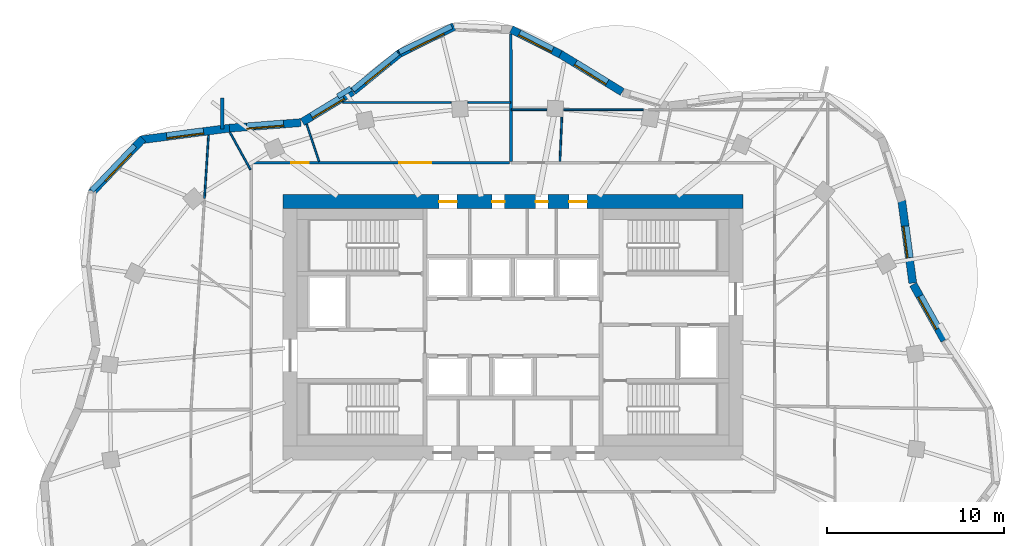
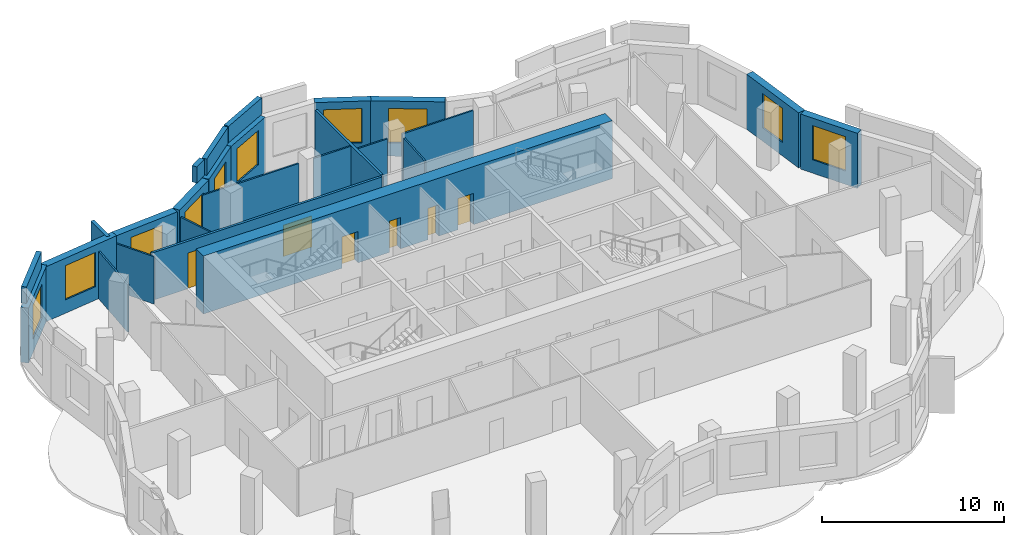
# One storey, part 7 of 10: 26 walls, 10 windows, 6 doors, 16 openings.
"""IFC4 building model written with IfcOpenShell, lengths in metres."""

from ifc_helpers import new_model, si_unit, direction, frame, frame_2d, origin, place, context, subcontext, project, spatial, rectangle, extrude, material, layer, layer_set, type_object, element, fill, save


model = new_model("IFC4")

# Units and contexts
model_context = context("Model", 3, precision=1e-05, world=origin(), true_north=direction((0.0, 1.0)))
body_context = subcontext(model_context, "Body", "Model", "MODEL_VIEW")
ifc_project = project(units=[si_unit("LENGTHUNIT", "METRE"), si_unit("AREAUNIT", "SQUARE_METRE"), si_unit("VOLUMEUNIT", "CUBIC_METRE"), si_unit("PLANEANGLEUNIT", "RADIAN"), si_unit("MASSUNIT", "GRAM", prefix="KILO")], contexts=[model_context])

# Site, building, storey
site_placement = place(None, origin())
site = spatial("IfcSite", under=ifc_project, at=site_placement, CompositionType="ELEMENT")
building_placement = place(site_placement, origin())
building = spatial("IfcBuilding", under=site, at=building_placement, Name="Rubra Terraces Tower", CompositionType="ELEMENT")
storey_placement = place(building_placement, frame((0.0, 0.0, 296.10009765625)))
storey = spatial("IfcBuildingStorey", under=building, at=storey_placement, Name="L73", CompositionType="ELEMENT", Elevation=296.10009765625)

# Wall, opening, window
ifc_material_1 = material(Name="Brick masonry red-brown", Category="masonry")
ifc_layer_1 = layer(ifc_material_1, 0.449951171875)
ifc_layer_set_1 = layer_set([ifc_layer_1], Name="Brick masonry red-brown")
wall_type_1 = type_object("IfcWallType", Name="Brick facade wall 450", PredefinedType="SOLIDWALL", material=ifc_layer_set_1)
wall_1_placement = place(storey_placement, frame((24.392822265625, 3.759033203125, 0.0), z_axis=(0.0, 0.0, 1.0), x_axis=(-0.488324253004, 0.872662262234, 0.0)))
wall_1 = element("IfcWall", 1, at=wall_1_placement, inside=storey, type_object=wall_type_1, Name="Facade wall L73 bay 2", PredefinedType="SOLIDWALL", context=body_context, shape_type="SweptSolid", body=[
    extrude(rectangle(XDim=3.622802734375, YDim=0.449951171875, at=frame_2d((1.8115234375, 0.0))), origin(), (0.0, 0.0, 1.0), 3.699951171875),
])
opening_1_placement = place(wall_1_placement, frame((0.76123046875, 0.0, 0.89990234375)))
opening_1 = element("IfcOpeningElement", 2, at=opening_1_placement, cuts=wall_1, Name="Opening W1B", PredefinedType="OPENING", context=body_context, shape_type="SweptSolid", body=[
    extrude(rectangle(XDim=2.10009765625, YDim=2.300048828125, at=frame_2d((1.050048828125, 1.14990234375))), frame((0.0, 0.23486328125, 0.0), z_axis=(0.0, -1.0, 0.0), x_axis=(1.0, 0.0, 0.0)), (0.0, 0.0, 1.0), 0.469970703125),
])
ifc_material_2 = material(Name="Clear glass in aluminium frame", Category="aluminium")
window_type_1 = type_object("IfcWindowType", Name="Fixed deep-set window tall storey 2100 x 2300", PartitioningType="SINGLE_PANEL", PredefinedType="WINDOW", material=ifc_material_2)
window_1_placement = place(opening_1_placement, origin())
window_1 = element("IfcWindow", 3, at=window_1_placement, inside=storey, type_object=window_type_1, Name="Window L73 bay 2", OverallHeight=2.300048828125, OverallWidth=2.10009765625, PartitioningType="SINGLE_PANEL", PredefinedType="WINDOW", context=body_context, shape_type="SweptSolid", body=[
    extrude(rectangle(XDim=2.10009765625, YDim=2.300048828125, at=frame_2d((1.050048828125, 1.14990234375))), frame((0.0, 0.135009765625, 0.0), z_axis=(0.0, -1.0, 0.0), x_axis=(1.0, 0.0, 0.0)), (0.0, 0.0, 1.0), 0.06005859375),
])
fill(opening_1, window_1)

wall_2_placement = place(storey_placement, frame((22.599853515625, 6.995361328125, 0.0), z_axis=(0.0, 0.0, 1.0), x_axis=(-0.132599346032, 0.991169719792, 0.0)))
wall_2 = element("IfcWall", 4, at=wall_2_placement, inside=storey, type_object=wall_type_1, Name="Facade wall L73 bay 3", PredefinedType="SOLIDWALL", context=body_context, shape_type="SweptSolid", body=[
    extrude(rectangle(XDim=4.69873046875, YDim=0.449951171875, at=frame_2d((2.349365234375, 0.0))), origin(), (0.0, 0.0, 1.0), 3.699951171875),
])
opening_2_placement = place(wall_2_placement, frame((1.449462890625, 0.0, 0.89990234375)))
opening_2 = element("IfcOpeningElement", 5, at=opening_2_placement, cuts=wall_2, Name="Opening W6B", PredefinedType="OPENING", context=body_context, shape_type="SweptSolid", body=[
    extrude(rectangle(XDim=1.800048828125, YDim=2.300048828125, at=frame_2d((0.89990234375, 1.14990234375))), frame((0.0, 0.23486328125, 0.0), z_axis=(0.0, -1.0, 0.0), x_axis=(1.0, 0.0, 0.0)), (0.0, 0.0, 1.0), 0.469970703125),
])
window_type_2 = type_object("IfcWindowType", Name="Fixed deep-set window at wind fin tall storey 1800 x 2300", PartitioningType="SINGLE_PANEL", PredefinedType="WINDOW", material=ifc_material_2)
window_2_placement = place(opening_2_placement, origin())
window_2 = element("IfcWindow", 6, at=window_2_placement, inside=storey, type_object=window_type_2, Name="Window L73 bay 3", OverallHeight=2.300048828125, OverallWidth=1.800048828125, PartitioningType="SINGLE_PANEL", PredefinedType="WINDOW", context=body_context, shape_type="SweptSolid", body=[
    extrude(rectangle(XDim=1.800048828125, YDim=2.300048828125, at=frame_2d((0.89990234375, 1.14990234375))), frame((0.0, 0.135009765625, 0.0), z_axis=(0.0, -1.0, 0.0), x_axis=(1.0, 0.0, 0.0)), (0.0, 0.0, 1.0), 0.06005859375),
])
fill(opening_2, window_2)

wall_3_placement = place(storey_placement, frame((6.17724609375, 17.797607421875, 0.0), z_axis=(0.0, 0.0, 1.0), x_axis=(-0.852939764965, 0.52200934603, 0.0)))
wall_3 = element("IfcWall", 7, at=wall_3_placement, inside=storey, type_object=wall_type_1, Name="Facade wall L73 bay 9", PredefinedType="SOLIDWALL", context=body_context, shape_type="SweptSolid", body=[
    extrude(rectangle(XDim=4.11279296875, YDim=0.449951171875, at=frame_2d((2.056396484375, 0.0))), origin(), (0.0, 0.0, 1.0), 3.699951171875),
])
opening_3_placement = place(wall_3_placement, frame((1.00634765625, 0.0, 0.89990234375)))
opening_3 = element("IfcOpeningElement", 8, at=opening_3_placement, cuts=wall_3, Name="Opening W1B", PredefinedType="OPENING", context=body_context, shape_type="SweptSolid", body=[
    extrude(rectangle(XDim=2.10009765625, YDim=2.300048828125, at=frame_2d((1.050048828125, 1.14990234375))), frame((0.0, 0.23486328125, 0.0), z_axis=(0.0, -1.0, 0.0), x_axis=(1.0, 0.0, 0.0)), (0.0, 0.0, 1.0), 0.469970703125),
])
window_3_placement = place(opening_3_placement, origin())
window_3 = element("IfcWindow", 9, at=window_3_placement, inside=storey, type_object=window_type_1, Name="Window L73 bay 9", OverallHeight=2.300048828125, OverallWidth=2.10009765625, PartitioningType="SINGLE_PANEL", PredefinedType="WINDOW", context=body_context, shape_type="SweptSolid", body=[
    extrude(rectangle(XDim=2.10009765625, YDim=2.300048828125, at=frame_2d((1.050048828125, 1.14990234375))), frame((0.0, 0.135009765625, 0.0), z_axis=(0.0, -1.0, 0.0), x_axis=(1.0, 0.0, 0.0)), (0.0, 0.0, 1.0), 0.06005859375),
])
fill(opening_3, window_3)

wall_4_placement = place(storey_placement, frame((2.685791015625, 19.935546875, 0.0), z_axis=(0.0, 0.0, 1.0), x_axis=(-0.893533051512, 0.448997422994, 0.0)))
wall_4 = element("IfcWall", 10, at=wall_4_placement, inside=storey, type_object=wall_type_1, Name="Facade wall L73 bay 10", PredefinedType="SOLIDWALL", context=body_context, shape_type="SweptSolid", body=[
    extrude(rectangle(XDim=3.118896484375, YDim=0.449951171875, at=frame_2d((1.5595703125, 0.0))), origin(), (0.0, 0.0, 1.0), 3.699951171875),
])
opening_4_placement = place(wall_4_placement, frame((0.509521484375, 0.0, 0.89990234375)))
opening_4 = element("IfcOpeningElement", 11, at=opening_4_placement, cuts=wall_4, Name="Opening W1B", PredefinedType="OPENING", context=body_context, shape_type="SweptSolid", body=[
    extrude(rectangle(XDim=2.10009765625, YDim=2.300048828125, at=frame_2d((1.050048828125, 1.14990234375))), frame((0.0, 0.23486328125, 0.0), z_axis=(0.0, -1.0, 0.0), x_axis=(1.0, 0.0, 0.0)), (0.0, 0.0, 1.0), 0.469970703125),
])
window_4_placement = place(opening_4_placement, origin())
window_4 = element("IfcWindow", 12, at=window_4_placement, inside=storey, type_object=window_type_1, Name="Window L73 bay 10", OverallHeight=2.300048828125, OverallWidth=2.10009765625, PartitioningType="SINGLE_PANEL", PredefinedType="WINDOW", context=body_context, shape_type="SweptSolid", body=[
    extrude(rectangle(XDim=2.10009765625, YDim=2.300048828125, at=frame_2d((1.050048828125, 1.14990234375))), frame((0.0, 0.135009765625, 0.0), z_axis=(0.0, -1.0, 0.0), x_axis=(1.0, 0.0, 0.0)), (0.0, 0.0, 1.0), 0.06005859375),
])
fill(opening_4, window_4)

wall_5_placement = place(storey_placement, frame((-3.33740234375, 21.496337890625, 0.0), z_axis=(0.0, 0.0, 1.0), x_axis=(-0.896526715328, -0.442989671103, 0.0)))
wall_5 = element("IfcWall", 13, at=wall_5_placement, inside=storey, type_object=wall_type_1, Name="Facade wall L73 bay 12", PredefinedType="SOLIDWALL", context=body_context, shape_type="SweptSolid", body=[
    extrude(rectangle(XDim=3.47216796875, YDim=0.449951171875, at=frame_2d((1.736083984375, 0.0))), origin(), (0.0, 0.0, 1.0), 3.699951171875),
])
opening_5_placement = place(wall_5_placement, frame((0.68603515625, 0.0, 0.89990234375)))
opening_5 = element("IfcOpeningElement", 14, at=opening_5_placement, cuts=wall_5, Name="Opening W1B", PredefinedType="OPENING", context=body_context, shape_type="SweptSolid", body=[
    extrude(rectangle(XDim=2.10009765625, YDim=2.300048828125, at=frame_2d((1.050048828125, 1.14990234375))), frame((0.0, 0.23486328125, 0.0), z_axis=(0.0, -1.0, 0.0), x_axis=(1.0, 0.0, 0.0)), (0.0, 0.0, 1.0), 0.469970703125),
])
window_5_placement = place(opening_5_placement, origin())
window_5 = element("IfcWindow", 15, at=window_5_placement, inside=storey, type_object=window_type_1, Name="Window L73 bay 12", OverallHeight=2.300048828125, OverallWidth=2.10009765625, PartitioningType="SINGLE_PANEL", PredefinedType="WINDOW", context=body_context, shape_type="SweptSolid", body=[
    extrude(rectangle(XDim=2.10009765625, YDim=2.300048828125, at=frame_2d((1.050048828125, 1.14990234375))), frame((0.0, 0.135009765625, 0.0), z_axis=(0.0, -1.0, 0.0), x_axis=(1.0, 0.0, 0.0)), (0.0, 0.0, 1.0), 0.06005859375),
])
fill(opening_5, window_5)

wall_6_placement = place(storey_placement, frame((-6.410888671875, 19.983154296875, 0.0), z_axis=(0.0, 0.0, 1.0), x_axis=(-0.774810240287, -0.632193871804, 0.0)))
wall_6 = element("IfcWall", 16, at=wall_6_placement, inside=storey, type_object=wall_type_1, Name="Facade wall L73 bay 13", PredefinedType="SOLIDWALL", context=body_context, shape_type="SweptSolid", body=[
    extrude(rectangle(XDim=3.389404296875, YDim=0.449951171875, at=frame_2d((1.69482421875, 0.0))), origin(), (0.0, 0.0, 1.0), 3.699951171875),
])
opening_6_placement = place(wall_6_placement, frame((0.794677734375, 0.0, 0.89990234375)))
opening_6 = element("IfcOpeningElement", 17, at=opening_6_placement, cuts=wall_6, Name="Opening W6B", PredefinedType="OPENING", context=body_context, shape_type="SweptSolid", body=[
    extrude(rectangle(XDim=1.800048828125, YDim=2.300048828125, at=frame_2d((0.89990234375, 1.14990234375))), frame((0.0, 0.23486328125, 0.0), z_axis=(0.0, -1.0, 0.0), x_axis=(1.0, 0.0, 0.0)), (0.0, 0.0, 1.0), 0.469970703125),
])
window_6_placement = place(opening_6_placement, origin())
window_6 = element("IfcWindow", 18, at=window_6_placement, inside=storey, type_object=window_type_2, Name="Window L73 bay 13", OverallHeight=2.300048828125, OverallWidth=1.800048828125, PartitioningType="SINGLE_PANEL", PredefinedType="WINDOW", context=body_context, shape_type="SweptSolid", body=[
    extrude(rectangle(XDim=1.800048828125, YDim=2.300048828125, at=frame_2d((0.89990234375, 1.14990234375))), frame((0.0, 0.135009765625, 0.0), z_axis=(0.0, -1.0, 0.0), x_axis=(1.0, 0.0, 0.0)), (0.0, 0.0, 1.0), 0.06005859375),
])
fill(opening_6, window_6)

wall_7_placement = place(storey_placement, frame((-9.06298828125, 17.82275390625, 0.0), z_axis=(0.0, 0.0, 1.0), x_axis=(-0.854622263029, -0.519250216693, 0.0)))
wall_7 = element("IfcWall", 19, at=wall_7_placement, inside=storey, type_object=wall_type_1, Name="Facade wall L73 bay 14", PredefinedType="SOLIDWALL", context=body_context, shape_type="SweptSolid", body=[
    extrude(rectangle(XDim=3.32470703125, YDim=0.449951171875, at=frame_2d((1.662353515625, 0.0))), origin(), (0.0, 0.0, 1.0), 3.699951171875),
])
opening_7_placement = place(wall_7_placement, frame((0.6123046875, 0.0, 0.89990234375)))
opening_7 = element("IfcOpeningElement", 20, at=opening_7_placement, cuts=wall_7, Name="Opening W1B", PredefinedType="OPENING", context=body_context, shape_type="SweptSolid", body=[
    extrude(rectangle(XDim=2.10009765625, YDim=2.300048828125, at=frame_2d((1.050048828125, 1.14990234375))), frame((0.0, 0.23486328125, 0.0), z_axis=(0.0, -1.0, 0.0), x_axis=(1.0, 0.0, 0.0)), (0.0, 0.0, 1.0), 0.469970703125),
])
window_7_placement = place(opening_7_placement, origin())
window_7 = element("IfcWindow", 21, at=window_7_placement, inside=storey, type_object=window_type_1, Name="Window L73 bay 14", OverallHeight=2.300048828125, OverallWidth=2.10009765625, PartitioningType="SINGLE_PANEL", PredefinedType="WINDOW", context=body_context, shape_type="SweptSolid", body=[
    extrude(rectangle(XDim=2.10009765625, YDim=2.300048828125, at=frame_2d((1.050048828125, 1.14990234375))), frame((0.0, 0.135009765625, 0.0), z_axis=(0.0, -1.0, 0.0), x_axis=(1.0, 0.0, 0.0)), (0.0, 0.0, 1.0), 0.06005859375),
])
fill(opening_7, window_7)

wall_8_placement = place(storey_placement, frame((-11.9951171875, 16.06689453125, 0.0), z_axis=(0.0, 0.0, 1.0), x_axis=(-0.996967993416, -0.077812724559, 0.0)))
wall_8 = element("IfcWall", 22, at=wall_8_placement, inside=storey, type_object=wall_type_1, Name="Facade wall L73 bay 15", PredefinedType="SOLIDWALL", context=body_context, shape_type="SweptSolid", body=[
    extrude(rectangle(XDim=4.04736328125, YDim=0.449951171875, at=frame_2d((2.023681640625, 0.0))), origin(), (0.0, 0.0, 1.0), 3.699951171875),
])
opening_8_placement = place(wall_8_placement, frame((0.9736328125, 0.0, 0.89990234375)))
opening_8 = element("IfcOpeningElement", 23, at=opening_8_placement, cuts=wall_8, Name="Opening W1B", PredefinedType="OPENING", context=body_context, shape_type="SweptSolid", body=[
    extrude(rectangle(XDim=2.10009765625, YDim=2.300048828125, at=frame_2d((1.050048828125, 1.14990234375))), frame((0.0, 0.23486328125, 0.0), z_axis=(0.0, -1.0, 0.0), x_axis=(1.0, 0.0, 0.0)), (0.0, 0.0, 1.0), 0.469970703125),
])
window_8_placement = place(opening_8_placement, origin())
window_8 = element("IfcWindow", 24, at=window_8_placement, inside=storey, type_object=window_type_1, Name="Window L73 bay 15", OverallHeight=2.300048828125, OverallWidth=2.10009765625, PartitioningType="SINGLE_PANEL", PredefinedType="WINDOW", context=body_context, shape_type="SweptSolid", body=[
    extrude(rectangle(XDim=2.10009765625, YDim=2.300048828125, at=frame_2d((1.050048828125, 1.14990234375))), frame((0.0, 0.135009765625, 0.0), z_axis=(0.0, -1.0, 0.0), x_axis=(1.0, 0.0, 0.0)), (0.0, 0.0, 1.0), 0.06005859375),
])
fill(opening_8, window_8)

wall_9_placement = place(storey_placement, frame((-16.019287109375, 15.75341796875, 0.0), z_axis=(0.0, 0.0, 1.0), x_axis=(-0.991409967396, -0.130790965086, 0.0)))
wall_9 = element("IfcWall", 25, at=wall_9_placement, inside=storey, type_object=wall_type_1, Name="Facade wall L73 bay 16", PredefinedType="SOLIDWALL", context=body_context, shape_type="SweptSolid", body=[
    extrude(rectangle(XDim=5.06787109375, YDim=0.449951171875, at=frame_2d((2.533935546875, 0.0))), origin(), (0.0, 0.0, 1.0), 3.699951171875),
])
opening_9_placement = place(wall_9_placement, frame((1.48388671875, 0.0, 0.89990234375)))
opening_9 = element("IfcOpeningElement", 26, at=opening_9_placement, cuts=wall_9, Name="Opening W1B", PredefinedType="OPENING", context=body_context, shape_type="SweptSolid", body=[
    extrude(rectangle(XDim=2.10009765625, YDim=2.300048828125, at=frame_2d((1.050048828125, 1.14990234375))), frame((0.0, 0.23486328125, 0.0), z_axis=(0.0, -1.0, 0.0), x_axis=(1.0, 0.0, 0.0)), (0.0, 0.0, 1.0), 0.469970703125),
])
window_9_placement = place(opening_9_placement, origin())
window_9 = element("IfcWindow", 27, at=window_9_placement, inside=storey, type_object=window_type_1, Name="Window L73 bay 16", OverallHeight=2.300048828125, OverallWidth=2.10009765625, PartitioningType="SINGLE_PANEL", PredefinedType="WINDOW", context=body_context, shape_type="SweptSolid", body=[
    extrude(rectangle(XDim=2.10009765625, YDim=2.300048828125, at=frame_2d((1.050048828125, 1.14990234375))), frame((0.0, 0.135009765625, 0.0), z_axis=(0.0, -1.0, 0.0), x_axis=(1.0, 0.0, 0.0)), (0.0, 0.0, 1.0), 0.06005859375),
])
fill(opening_9, window_9)

wall_10_placement = place(storey_placement, frame((-20.914306640625, 15.15771484375, 0.0), z_axis=(0.0, 0.0, 1.0), x_axis=(-0.690057851873, -0.723754213161, 0.0)))
wall_10 = element("IfcWall", 28, at=wall_10_placement, inside=storey, type_object=wall_type_1, Name="Facade wall L73 bay 17", PredefinedType="SOLIDWALL", context=body_context, shape_type="SweptSolid", body=[
    extrude(rectangle(XDim=4.2529296875, YDim=0.449951171875, at=frame_2d((2.12646484375, 0.0))), origin(), (0.0, 0.0, 1.0), 3.699951171875),
])
opening_10_placement = place(wall_10_placement, frame((1.076416015625, 0.0, 0.89990234375)))
opening_10 = element("IfcOpeningElement", 29, at=opening_10_placement, cuts=wall_10, Name="Opening W1B", PredefinedType="OPENING", context=body_context, shape_type="SweptSolid", body=[
    extrude(rectangle(XDim=2.10009765625, YDim=2.300048828125, at=frame_2d((1.050048828125, 1.14990234375))), frame((0.0, 0.23486328125, 0.0), z_axis=(0.0, -1.0, 0.0), x_axis=(1.0, 0.0, 0.0)), (0.0, 0.0, 1.0), 0.469970703125),
])
window_10_placement = place(opening_10_placement, origin())
window_10 = element("IfcWindow", 30, at=window_10_placement, inside=storey, type_object=window_type_1, Name="Window L73 bay 17", OverallHeight=2.300048828125, OverallWidth=2.10009765625, PartitioningType="SINGLE_PANEL", PredefinedType="WINDOW", context=body_context, shape_type="SweptSolid", body=[
    extrude(rectangle(XDim=2.10009765625, YDim=2.300048828125, at=frame_2d((1.050048828125, 1.14990234375))), frame((0.0, 0.135009765625, 0.0), z_axis=(0.0, -1.0, 0.0), x_axis=(1.0, 0.0, 0.0)), (0.0, 0.0, 1.0), 0.06005859375),
])
fill(opening_10, window_10)

# Walls
ifc_layer_2 = layer(ifc_material_1, 0.300048828125)
ifc_layer_set_2 = layer_set([ifc_layer_2], Name="Brick masonry red-brown")
wall_type_2 = type_object("IfcWallType", Name="Brick parapet 300", PredefinedType="PARAPET", material=ifc_layer_set_2)
wall_11_placement = place(storey_placement, frame((-3.467041015625, 21.515869140625, 3.89990234375), z_axis=(0.0, 0.0, 1.0), x_axis=(-0.896532590338, -0.442977781003, 0.0)))
element("IfcWall", 31, at=wall_11_placement, inside=storey, type_object=wall_type_2, Name="Parapet L73 bay 12", PredefinedType="PARAPET", context=body_context, shape_type="SweptSolid", body=[
    extrude(rectangle(XDim=3.30078125, YDim=0.300048828125, at=frame_2d((1.650390625, 0.0))), origin(), (0.0, 0.0, 1.0), 1.10009765625),
])
wall_12_placement = place(storey_placement, frame((-6.5048828125, 20.00341796875, 3.89990234375), z_axis=(0.0, 0.0, 1.0), x_axis=(-0.774774389425, -0.632237807705, 0.0)))
element("IfcWall", 32, at=wall_12_placement, inside=storey, type_object=wall_type_2, Name="Parapet L73 bay 13", PredefinedType="PARAPET", context=body_context, shape_type="SweptSolid", body=[
    extrude(rectangle(XDim=3.298828125, YDim=0.300048828125, at=frame_2d((1.6494140625, 0.0))), origin(), (0.0, 0.0, 1.0), 1.10009765625),
])
wall_13_placement = place(storey_placement, frame((-9.164306640625, 17.9970703125, 3.89990234375), z_axis=(0.0, 0.0, 1.0), x_axis=(-0.854630396294, -0.519236830098, 0.0)))
element("IfcWall", 33, at=wall_13_placement, inside=storey, type_object=wall_type_2, Name="Parapet L73 bay 14", PredefinedType="PARAPET", context=body_context, shape_type="SweptSolid", body=[
    extrude(rectangle(XDim=0.86181640625, YDim=0.300048828125, at=frame_2d((0.430908203125, 0.0))), origin(), (0.0, 0.0, 1.0), 1.10009765625),
])
wall_14_placement = place(storey_placement, frame((-21.388427734375, 14.768798828125, 3.89990234375), z_axis=(0.0, 0.0, 1.0), x_axis=(-0.690144808601, -0.723671294969, 0.0)))
element("IfcWall", 34, at=wall_14_placement, inside=storey, type_object=wall_type_2, Name="Parapet L73 bay 17", PredefinedType="PARAPET", context=body_context, shape_type="SweptSolid", body=[
    extrude(rectangle(XDim=3.510009765625, YDim=0.300048828125, at=frame_2d((1.7548828125, 0.0))), origin(), (0.0, 0.0, 1.0), 1.10009765625),
])
ifc_layer_3 = layer(ifc_material_1, 0.199951171875)
ifc_layer_set_3 = layer_set([ifc_layer_3], Name="Brick masonry red-brown")
wall_type_3 = type_object("IfcWallType", Name="Brick wind fin 200", PredefinedType="SOLIDWALL", material=ifc_layer_set_3)
wall_15_placement = place(storey_placement, frame((-16.43505859375, 15.7119140625, 0.0), z_axis=(0.0, 0.0, 1.0), x_axis=(0.000279017846, 0.999999961075, 0.0)))
element("IfcWall", 35, at=wall_15_placement, inside=storey, type_object=wall_type_3, Name="Wind fin L73 8", PredefinedType="SOLIDWALL", context=body_context, shape_type="SweptSolid", body=[
    extrude(rectangle(XDim=1.75, YDim=0.199951171875, at=frame_2d((0.875, 0.0))), origin(), (0.0, 0.0, 1.0), 3.699951171875),
])

# Wall, openings, doors
ifc_material_3 = material(Name="Concrete C50", Category="concrete")
ifc_layer_4 = layer(ifc_material_3, 0.800048828125)
ifc_layer_set_4 = layer_set([ifc_layer_4], Name="Concrete C50")
wall_type_4 = type_object("IfcWallType", Name="CORE WALL 800 C50", PredefinedType="SHEAR", material=ifc_layer_set_4)
wall_16_placement = place(storey_placement, frame((-13.0, 11.60009765625, 0.0), z_axis=(0.0, 0.0, 1.0), x_axis=(1.0, 0.0, 0.0)))
wall_16 = element("IfcWall", 36, at=wall_16_placement, inside=storey, type_object=wall_type_4, Name="CORE WALL N L73", PredefinedType="SHEAR", context=body_context, shape_type="SweptSolid", body=[
    extrude(rectangle(XDim=26.0, YDim=0.800048828125, at=frame_2d((13.0, 0.0))), origin(), (0.0, 0.0, 1.0), 3.89990234375),
])
opening_11_placement = place(wall_16_placement, frame((8.824951171875, 0.0, 0.0)))
opening_11 = element("IfcOpeningElement", 37, at=opening_11_placement, cuts=wall_16, Name="Opening L73.C25", PredefinedType="OPENING", context=body_context, shape_type="SweptSolid", body=[
    extrude(rectangle(XDim=1.0, YDim=2.10009765625, at=frame_2d((0.5, 1.050048828125))), frame((0.0, 0.409912109375, 0.0), z_axis=(0.0, -1.0, 0.0), x_axis=(1.0, 0.0, 0.0)), (0.0, 0.0, 1.0), 0.820068359375),
])
opening_12_placement = place(wall_16_placement, frame((11.824951171875, 0.0, 0.0)))
opening_12 = element("IfcOpeningElement", 38, at=opening_12_placement, cuts=wall_16, Name="Opening L73.C26", PredefinedType="OPENING", context=body_context, shape_type="SweptSolid", body=[
    extrude(rectangle(XDim=0.699951171875, YDim=2.10009765625, at=frame_2d((0.35009765625, 1.050048828125))), frame((0.0, 0.409912109375, 0.0), z_axis=(0.0, -1.0, 0.0), x_axis=(1.0, 0.0, 0.0)), (0.0, 0.0, 1.0), 0.820068359375),
])
opening_13_placement = place(wall_16_placement, frame((14.27490234375, 0.0, 0.0)))
opening_13 = element("IfcOpeningElement", 39, at=opening_13_placement, cuts=wall_16, Name="Opening L73.C27", PredefinedType="OPENING", context=body_context, shape_type="SweptSolid", body=[
    extrude(rectangle(XDim=0.699951171875, YDim=2.10009765625, at=frame_2d((0.35009765625, 1.050048828125))), frame((0.0, 0.409912109375, 0.0), z_axis=(0.0, -1.0, 0.0), x_axis=(1.0, 0.0, 0.0)), (0.0, 0.0, 1.0), 0.820068359375),
])
opening_14_placement = place(wall_16_placement, frame((16.175048828125, 0.0, 0.0)))
opening_14 = element("IfcOpeningElement", 40, at=opening_14_placement, cuts=wall_16, Name="Opening L73.C28", PredefinedType="OPENING", context=body_context, shape_type="SweptSolid", body=[
    extrude(rectangle(XDim=1.0, YDim=2.10009765625, at=frame_2d((0.5, 1.050048828125))), frame((0.0, 0.409912109375, 0.0), z_axis=(0.0, -1.0, 0.0), x_axis=(1.0, 0.0, 0.0)), (0.0, 0.0, 1.0), 0.820068359375),
])
ifc_material_4 = material(Name="Painted steel", Category="steel")
door_type_1 = type_object("IfcDoorType", Name="Fire door 1000x2100 single", OperationType="NOTDEFINED", PredefinedType="DOOR", material=ifc_material_4)
door_1_placement = place(opening_11_placement, origin())
door_1 = element("IfcDoor", 41, at=door_1_placement, inside=storey, type_object=door_type_1, Name="Security and building control room door", OperationType="SINGLE_SWING_LEFT", OverallHeight=2.10009765625, OverallWidth=1.0, PredefinedType="DOOR", context=body_context, shape_type="SweptSolid", body=[
    extrude(rectangle(XDim=1.0, YDim=2.10009765625, at=frame_2d((0.5, 1.050048828125))), frame((0.0, 0.02490234375, 0.0), z_axis=(0.0, -1.0, 0.0), x_axis=(1.0, 0.0, 0.0)), (0.0, 0.0, 1.0), 0.050048828125),
])
fill(opening_11, door_1)
door_2_placement = place(opening_14_placement, origin())
door_2 = element("IfcDoor", 42, at=door_2_placement, inside=storey, type_object=door_type_1, Name="Guest pantry door", OperationType="SINGLE_SWING_RIGHT", OverallHeight=2.10009765625, OverallWidth=1.0, PredefinedType="DOOR", context=body_context, shape_type="SweptSolid", body=[
    extrude(rectangle(XDim=1.0, YDim=2.10009765625, at=frame_2d((0.5, 1.050048828125))), frame((0.0, 0.02490234375, 0.0), z_axis=(0.0, -1.0, 0.0), x_axis=(1.0, 0.0, 0.0)), (0.0, 0.0, 1.0), 0.050048828125),
])
fill(opening_14, door_2)
door_type_2 = type_object("IfcDoorType", Name="Riser access door 700x2100 single", OperationType="NOTDEFINED", PredefinedType="DOOR", material=ifc_material_4)
door_3_placement = place(opening_12_placement, origin())
door_3 = element("IfcDoor", 43, at=door_3_placement, inside=storey, type_object=door_type_2, Name="Telecoms room door", OperationType="SINGLE_SWING_RIGHT", OverallHeight=2.10009765625, OverallWidth=0.699951171875, PredefinedType="DOOR", context=body_context, shape_type="SweptSolid", body=[
    extrude(rectangle(XDim=0.699951171875, YDim=2.10009765625, at=frame_2d((0.35009765625, 1.050048828125))), frame((0.0, 0.02490234375, 0.0), z_axis=(0.0, -1.0, 0.0), x_axis=(1.0, 0.0, 0.0)), (0.0, 0.0, 1.0), 0.050048828125),
])
fill(opening_12, door_3)
door_4_placement = place(opening_13_placement, origin())
door_4 = element("IfcDoor", 44, at=door_4_placement, inside=storey, type_object=door_type_2, Name="Water and drainage riser door", OperationType="SINGLE_SWING_LEFT", OverallHeight=2.10009765625, OverallWidth=0.699951171875, PredefinedType="DOOR", context=body_context, shape_type="SweptSolid", body=[
    extrude(rectangle(XDim=0.699951171875, YDim=2.10009765625, at=frame_2d((0.35009765625, 1.050048828125))), frame((0.0, 0.02490234375, 0.0), z_axis=(0.0, -1.0, 0.0), x_axis=(1.0, 0.0, 0.0)), (0.0, 0.0, 1.0), 0.050048828125),
])
fill(opening_13, door_4)

ifc_material_5 = material(Name="Plasterboard on steel stud, mineral wool infill", Category="steel")
ifc_layer_5 = layer(ifc_material_5, 0.14990234375)
ifc_layer_set_5 = layer_set([ifc_layer_5], Name="Plasterboard on steel stud, mineral wool infill")
wall_type_5 = type_object("IfcWallType", Name="CORRIDOR PARTITION 150", PredefinedType="PARTITIONING", material=ifc_layer_set_5)
wall_17_placement = place(storey_placement, frame((-0.183837890625, 13.800048828125, 0.0), z_axis=(0.0, 0.0, 1.0), x_axis=(-1.0, 0.0, 0.0)))
wall_17 = element("IfcWall", 45, at=wall_17_placement, inside=storey, type_object=wall_type_5, Name="PARTITION", PredefinedType="PARTITIONING", context=body_context, shape_type="SweptSolid", body=[
    extrude(rectangle(XDim=14.6162109375, YDim=0.14990234375, at=frame_2d((7.30810546875, 0.0))), origin(), (0.0, 0.0, 1.0), 3.197998046875),
])
opening_15_placement = place(wall_17_placement, frame((4.43994140625, 0.0, 0.0)))
opening_15 = element("IfcOpeningElement", 46, at=opening_15_placement, cuts=wall_17, Name="Opening 73-107", PredefinedType="OPENING", context=body_context, shape_type="SweptSolid", body=[
    extrude(rectangle(XDim=1.800048828125, YDim=2.10009765625, at=frame_2d((0.89990234375, 1.050048828125))), frame((0.0, 0.0849609375, 0.0), z_axis=(0.0, -1.0, 0.0), x_axis=(1.0, 0.0, 0.0)), (0.0, 0.0, 1.0), 0.169921875),
])
opening_16_placement = place(wall_17_placement, frame((11.35009765625, 0.0, 0.0)))
opening_16 = element("IfcOpeningElement", 47, at=opening_16_placement, cuts=wall_17, Name="Opening 73-108", PredefinedType="OPENING", context=body_context, shape_type="SweptSolid", body=[
    extrude(rectangle(XDim=1.0, YDim=2.39990234375, at=frame_2d((0.5, 1.199951171875))), frame((0.0, 0.0849609375, 0.0), z_axis=(0.0, -1.0, 0.0), x_axis=(1.0, 0.0, 0.0)), (0.0, 0.0, 1.0), 0.169921875),
])
ifc_material_6 = material(Name="Glazed aluminium meeting door leaf", Category="aluminium")
door_type_3 = type_object("IfcDoorType", Name="MEETING ROOM GLAZED DOOR 1000 X 2400", OperationType="SINGLE_SWING_LEFT", PredefinedType="DOOR", material=ifc_material_6)
door_5_placement = place(opening_16_placement, origin())
door_5 = element("IfcDoor", 48, at=door_5_placement, inside=storey, type_object=door_type_3, Name="DOOR 73-108", OperationType="SINGLE_SWING_RIGHT", OverallHeight=2.39990234375, OverallWidth=1.0, PredefinedType="DOOR", context=body_context, shape_type="SweptSolid", body=[
    extrude(rectangle(XDim=1.0, YDim=2.39990234375, at=frame_2d((0.5, 1.199951171875))), frame((0.0, 0.02490234375, 0.0), z_axis=(0.0, -1.0, 0.0), x_axis=(1.0, 0.0, 0.0)), (0.0, 0.0, 1.0), 0.050048828125),
])
fill(opening_16, door_5)
ifc_material_7 = material(Name="Painted timber door leaf, double", Category="wood")
door_type_4 = type_object("IfcDoorType", Name="ROOM DOUBLE DOOR 1800 X 2100", OperationType="DOUBLE_DOOR_SINGLE_SWING", PredefinedType="DOOR", material=ifc_material_7)
door_6_placement = place(opening_15_placement, origin())
door_6 = element("IfcDoor", 49, at=door_6_placement, inside=storey, type_object=door_type_4, Name="DOOR 73-107", OperationType="DOUBLE_DOOR_SINGLE_SWING", OverallHeight=2.10009765625, OverallWidth=1.800048828125, PredefinedType="DOOR", context=body_context, shape_type="SweptSolid", body=[
    extrude(rectangle(XDim=1.800048828125, YDim=2.10009765625, at=frame_2d((0.89990234375, 1.050048828125))), frame((0.0, 0.02490234375, 0.0), z_axis=(0.0, -1.0, 0.0), x_axis=(1.0, 0.0, 0.0)), (0.0, 0.0, 1.0), 0.050048828125),
])
fill(opening_15, door_6)

# Walls
ifc_material_8 = material(Name="Plasterboard on steel stud", Category="steel")
ifc_layer_6 = layer(ifc_material_8, 0.10009765625)
ifc_layer_set_6 = layer_set([ifc_layer_6], Name="Plasterboard on steel stud")
wall_type_6 = type_object("IfcWallType", Name="ROOM PARTITION 100", PredefinedType="PARTITIONING", material=ifc_layer_set_6)
wall_18_placement = place(storey_placement, frame((-0.092041015625, 16.800048828125, 0.0), z_axis=(0.0, 0.0, 1.0), x_axis=(1.0, 0.0, 0.0)))
element("IfcWall", 50, at=wall_18_placement, inside=storey, type_object=wall_type_6, Name="PARTITION", PredefinedType="PARTITIONING", context=body_context, shape_type="SweptSolid", body=[
    extrude(rectangle(XDim=2.010498046875, YDim=0.10009765625, at=frame_2d((1.00537109375, 0.0))), origin(), (0.0, 0.0, 1.0), 3.183837890625),
])
wall_19_placement = place(storey_placement, frame((2.859619140625, 16.800048828125, 0.0), z_axis=(0.0, 0.0, 1.0), x_axis=(1.0, 0.0, 0.0)))
element("IfcWall", 51, at=wall_19_placement, inside=storey, type_object=wall_type_6, Name="PARTITION", PredefinedType="PARTITIONING", context=body_context, shape_type="SweptSolid", body=[
    extrude(rectangle(XDim=4.5078125, YDim=0.10009765625, at=frame_2d((2.25390625, 0.0))), origin(), (0.0, 0.0, 1.0), 3.183837890625),
])
wall_20_placement = place(storey_placement, frame((2.65283203125, 13.875, 0.0), z_axis=(0.0, 0.0, 1.0), x_axis=(0.044814196706, 0.998995339215, 0.0)))
element("IfcWall", 52, at=wall_20_placement, inside=storey, type_object=wall_type_6, Name="PARTITION", PredefinedType="PARTITIONING", context=body_context, shape_type="SweptSolid", body=[
    extrude(rectangle(XDim=2.50048828125, YDim=0.10009765625, at=frame_2d((1.250244140625, 0.0))), origin(), (0.0, 0.0, 1.0), 3.183837890625),
])
wall_21_placement = place(storey_placement, frame((-17.438232421875, 11.78271484375, 0.0), z_axis=(0.0, 0.0, 1.0), x_axis=(0.063671201207, 0.997970930507, 0.0)))
element("IfcWall", 53, at=wall_21_placement, inside=storey, type_object=wall_type_6, Name="PARTITION", PredefinedType="PARTITIONING", context=body_context, shape_type="SweptSolid", body=[
    extrude(rectangle(XDim=3.57373046875, YDim=0.10009765625, at=frame_2d((1.786865234375, 0.0))), origin(), (0.0, 0.0, 1.0), 3.183837890625),
])
wall_22_placement = place(storey_placement, frame((-9.6162109375, 17.199951171875, 0.0), z_axis=(0.0, 0.0, 1.0), x_axis=(1.0, 0.0, 0.0)))
element("IfcWall", 54, at=wall_22_placement, inside=storey, type_object=wall_type_6, Name="PARTITION", PredefinedType="PARTITIONING", context=body_context, shape_type="SweptSolid", body=[
    extrude(rectangle(XDim=6.12353515625, YDim=0.10009765625, at=frame_2d((3.061767578125, 0.0))), origin(), (0.0, 0.0, 1.0), 3.183837890625),
])
wall_23_placement = place(storey_placement, frame((-2.55078125, 17.199951171875, 0.0), z_axis=(0.0, 0.0, 1.0), x_axis=(1.0, 0.0, 0.0)))
element("IfcWall", 55, at=wall_23_placement, inside=storey, type_object=wall_type_6, Name="PARTITION", PredefinedType="PARTITIONING", context=body_context, shape_type="SweptSolid", body=[
    extrude(rectangle(XDim=2.418212890625, YDim=0.10009765625, at=frame_2d((1.208984375, 0.0))), origin(), (0.0, 0.0, 1.0), 3.183837890625),
])
wall_24_placement = place(storey_placement, frame((-10.9619140625, 13.87109375, 0.0), z_axis=(0.0, 0.0, 1.0), x_axis=(-0.317447611302, 0.948275811185, 0.0)))
element("IfcWall", 56, at=wall_24_placement, inside=storey, type_object=wall_type_6, Name="PARTITION", PredefinedType="PARTITIONING", context=body_context, shape_type="SweptSolid", body=[
    extrude(rectangle(XDim=2.22119140625, YDim=0.10009765625, at=frame_2d((1.110595703125, 0.0))), origin(), (0.0, 0.0, 1.0), 3.183837890625),
])
wall_25_placement = place(storey_placement, frame((-14.836181640625, 13.411865234375, 0.0), z_axis=(0.0, 0.0, 1.0), x_axis=(-0.483304666726, 0.875452225493, 0.0)))
element("IfcWall", 57, at=wall_25_placement, inside=storey, type_object=wall_type_6, Name="PARTITION", PredefinedType="PARTITIONING", context=body_context, shape_type="SweptSolid", body=[
    extrude(rectangle(XDim=2.4130859375, YDim=0.10009765625, at=frame_2d((1.20654296875, 0.0))), origin(), (0.0, 0.0, 1.0), 3.183837890625),
])
ifc_layer_7 = layer(ifc_material_8, 0.14990234375)
ifc_layer_set_7 = layer_set([ifc_layer_7], Name="Plasterboard on steel stud")
wall_type_7 = type_object("IfcWallType", Name="ROOM PARTITION 150", PredefinedType="PARTITIONING", material=ifc_layer_set_7)
wall_26_placement = place(storey_placement, frame((-0.11669921875, 21.08740234375, 0.0), z_axis=(0.0, 0.0, 1.0), x_axis=(0.001083202939, -0.999999413336, 0.0)))
element("IfcWall", 58, at=wall_26_placement, inside=storey, type_object=wall_type_7, Name="PARTITION", PredefinedType="PARTITIONING", context=body_context, shape_type="SweptSolid", body=[
    extrude(rectangle(XDim=7.21240234375, YDim=0.14990234375, at=frame_2d((3.606201171875, 0.0))), origin(), (0.0, 0.0, 1.0), 3.23388671875),
])

save(model, "model.ifc")
